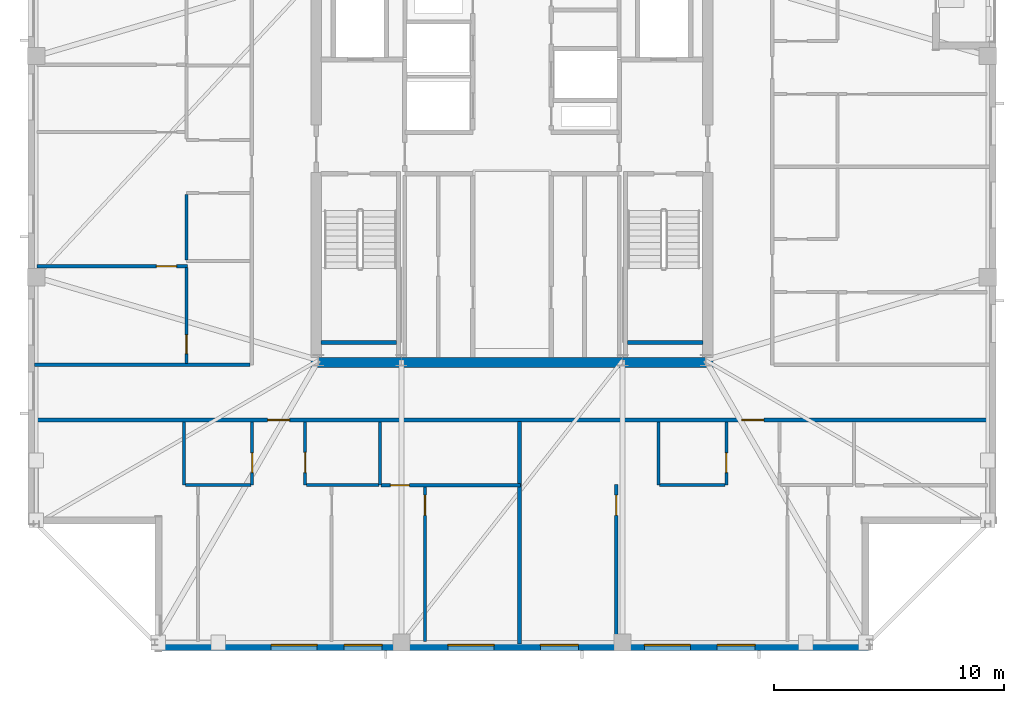
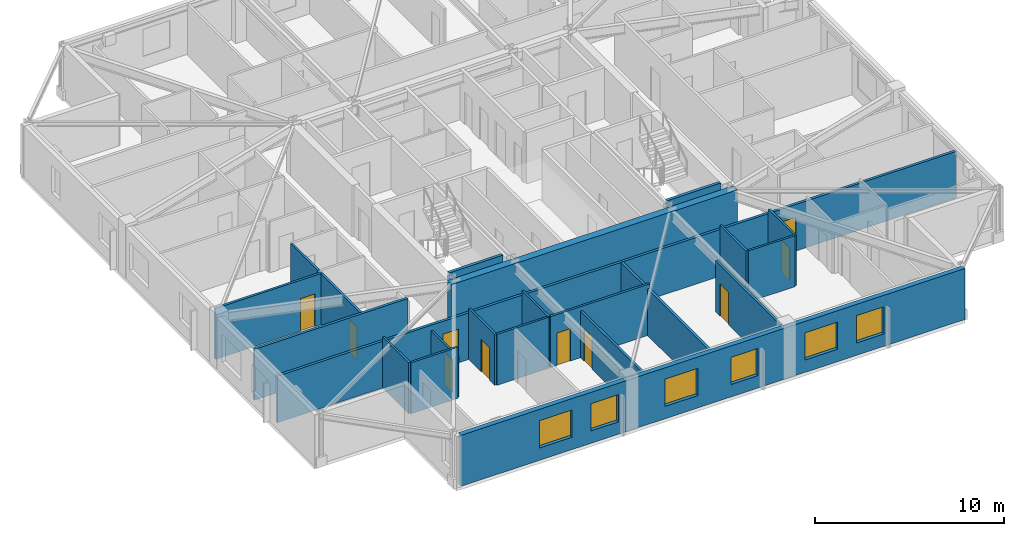
# One storey, part 7 of 16: 22 walls, 10 doors, 6 windows, 16 openings.
"""IFC4 building model written with IfcOpenShell, lengths in metres."""

from ifc_helpers import new_model, si_unit, direction, frame, frame_2d, origin, place, context, subcontext, project, spatial, rectangle, extrude, material, layer, layer_set, type_object, element, fill, save


model = new_model("IFC4")

# Units and contexts
model_context = context("Model", 3, precision=1e-05, world=origin(), true_north=direction((0.0, 1.0)))
body_context = subcontext(model_context, "Body", "Model", "MODEL_VIEW")
ifc_project = project(units=[si_unit("LENGTHUNIT", "METRE"), si_unit("AREAUNIT", "SQUARE_METRE"), si_unit("VOLUMEUNIT", "CUBIC_METRE"), si_unit("PLANEANGLEUNIT", "RADIAN"), si_unit("MASSUNIT", "GRAM", prefix="KILO")], contexts=[model_context])

# Site, building, storey
site_placement = place(None, origin())
site = spatial("IfcSite", under=ifc_project, at=site_placement, CompositionType="ELEMENT")
building_placement = place(site_placement, origin())
building = spatial("IfcBuilding", under=site, at=building_placement, Name="Cairnveth Concourse Tower", CompositionType="ELEMENT")
storey_placement = place(building_placement, frame((0.0, 0.0, 312.0)))
storey = spatial("IfcBuildingStorey", under=building, at=storey_placement, Name="L86", CompositionType="ELEMENT", Elevation=312.0)

# Wall, openings, doors
ifc_material_1 = material(Name="Gypsum Plasterboard Partition", Category="gypsum")
ifc_layer_1 = layer(ifc_material_1, 0.159912109375)
ifc_layer_set_1 = layer_set([ifc_layer_1], Name="Gypsum Plasterboard Partition")
wall_type_1 = type_object("IfcWallType", Name="ACOUSTIC PARTY WALL 180", PredefinedType="PARTITIONING", material=ifc_layer_set_1)
wall_1_placement = place(storey_placement, frame((31.284912109375, 28.00244140625, 0.0), z_axis=(0.0, 0.0, 1.0), x_axis=(1.0, 0.0, 0.0)))
wall_1 = element("IfcWall", 1, at=wall_1_placement, inside=storey, type_object=wall_type_1, Name="Interior Wall IW-L86-036", PredefinedType="PARTITIONING", context=body_context, shape_type="SweptSolid", body=[
    extrude(rectangle(XDim=41.43017578125, YDim=0.159912109375, at=frame_2d((20.715087890625, 0.0))), origin(), (0.0, 0.0, 1.0), 3.009033203125),
])
opening_1_placement = place(wall_1_placement, frame((10.107421875, 0.0, 0.0)))
opening_1 = element("IfcOpeningElement", 2, at=opening_1_placement, cuts=wall_1, Name="Opening ID10", PredefinedType="OPENING", context=body_context, shape_type="SweptSolid", body=[
    extrude(rectangle(XDim=0.9599609375, YDim=2.179931640625, at=frame_2d((0.47998046875, 1.08984375))), frame((0.0, 0.08984375, 0.0), z_axis=(0.0, -1.0, 0.0), x_axis=(1.0, 0.0, 0.0)), (0.0, 0.0, 1.0), 0.179931640625),
])
opening_2_placement = place(wall_1_placement, frame((30.6875, 0.0, 0.0)))
opening_2 = element("IfcOpeningElement", 3, at=opening_2_placement, cuts=wall_1, Name="Opening ID10", PredefinedType="OPENING", context=body_context, shape_type="SweptSolid", body=[
    extrude(rectangle(XDim=0.9599609375, YDim=2.179931640625, at=frame_2d((0.47998046875, 1.08984375))), frame((0.0, 0.08984375, 0.0), z_axis=(0.0, -1.0, 0.0), x_axis=(1.0, 0.0, 0.0)), (0.0, 0.0, 1.0), 0.179931640625),
])
ifc_material_2 = material(Name="Solid Core Hardwood Timber Leaf", Category="wood")
door_type_1 = type_object("IfcDoorType", Name="FLAT ENTRANCE DOOR 960X2150", OperationType="NOTDEFINED", PredefinedType="DOOR", material=ifc_material_2)
door_1_placement = place(opening_1_placement, origin())
door_1 = element("IfcDoor", 4, at=door_1_placement, inside=storey, type_object=door_type_1, Name="Penthouse L86PS1 Entrance Door", OperationType="SINGLE_SWING_RIGHT", OverallHeight=2.179931640625, OverallWidth=0.9599609375, PredefinedType="DOOR", context=body_context, shape_type="SweptSolid", body=[
    extrude(rectangle(XDim=0.9599609375, YDim=2.179931640625, at=frame_2d((0.47998046875, 1.08984375))), frame((0.0, 0.02490234375, 0.0), z_axis=(0.0, -1.0, 0.0), x_axis=(1.0, 0.0, 0.0)), (0.0, 0.0, 1.0), 0.050048828125),
])
fill(opening_1, door_1)
door_2_placement = place(opening_2_placement, origin())
door_2 = element("IfcDoor", 5, at=door_2_placement, inside=storey, type_object=door_type_1, Name="Penthouse L86PS2 Entrance Door", OperationType="SINGLE_SWING_LEFT", OverallHeight=2.179931640625, OverallWidth=0.9599609375, PredefinedType="DOOR", context=body_context, shape_type="SweptSolid", body=[
    extrude(rectangle(XDim=0.9599609375, YDim=2.179931640625, at=frame_2d((0.47998046875, 1.08984375))), frame((0.0, 0.02490234375, 0.0), z_axis=(0.0, -1.0, 0.0), x_axis=(1.0, 0.0, 0.0)), (0.0, 0.0, 1.0), 0.050048828125),
])
fill(opening_2, door_2)

# Walls
wall_2_placement = place(storey_placement, frame((31.284912109375, 30.39990234375, 0.0), z_axis=(0.0, 0.0, 1.0), x_axis=(1.0, 0.0, 0.0)))
element("IfcWall", 6, at=wall_2_placement, inside=storey, type_object=wall_type_1, Name="Interior Wall IW-L86-040", PredefinedType="PARTITIONING", context=body_context, shape_type="SweptSolid", body=[
    extrude(rectangle(XDim=9.35009765625, YDim=0.159912109375, at=frame_2d((4.675048828125, 0.0))), origin(), (0.0, 0.0, 1.0), 3.2900390625),
])
wall_3_placement = place(storey_placement, frame((52.324951171875, 18.284912109375, 0.0), z_axis=(0.0, 0.0, 1.0), x_axis=(0.0, 1.0, 0.0)))
element("IfcWall", 7, at=wall_3_placement, inside=storey, type_object=wall_type_1, Name="Interior Wall IW-L86-054", PredefinedType="PARTITIONING", context=body_context, shape_type="SweptSolid", body=[
    extrude(rectangle(XDim=9.652587890625, YDim=0.159912109375, at=frame_2d((4.826171875, 0.0))), origin(), (0.0, 0.0, 1.0), 3.009033203125),
])
ifc_material_3 = material(Name="Concrete N65 (65 MPa)", Category="concrete")
ifc_layer_2 = layer(ifc_material_3, 0.449951171875)
ifc_layer_set_2 = layer_set([ifc_layer_2], Name="Concrete N65 (65 MPa)")
wall_type_2 = type_object("IfcWallType", Name="CORE SHEAR WALL 450", PredefinedType="SHEAR", material=ifc_layer_set_2)
wall_4_placement = place(storey_placement, frame((43.27490234375, 30.5, 0.0), z_axis=(0.0, 0.0, 1.0), x_axis=(1.0, 0.0, 0.0)))
element("IfcWall", 8, at=wall_4_placement, inside=storey, type_object=wall_type_2, Name="Core South Shear Wall L86", PredefinedType="SHEAR", context=body_context, shape_type="SweptSolid", body=[
    extrude(rectangle(XDim=17.4501953125, YDim=0.449951171875, at=frame_2d((8.72509765625, 0.0))), origin(), (0.0, 0.0, 1.0), 3.2900390625),
])
ifc_material_4 = material(Name="Concrete N50 (50 MPa)", Category="concrete")
ifc_layer_3 = layer(ifc_material_4, 0.179931640625)
ifc_layer_set_3 = layer_set([ifc_layer_3], Name="Concrete N50 (50 MPa)")
wall_type_3 = type_object("IfcWallType", Name="FIRE SHAFT WALL 180", PredefinedType="SOLIDWALL", material=ifc_layer_set_3)
for number, where, z_axis, x_axis, name in (
    (9, (43.715087890625, 31.360107421875, 0.0), (0.0, 0.0, 1.0), (1.0, 0.0, 0.0), "Stair ST-1 Shaft Wall FAR L86"),
    (10, (57.0048828125, 31.360107421875, 0.0), (0.0, 0.0, 1.0), (1.0, 0.0, 0.0), "Stair ST-2 Shaft Wall FAR L86"),
):
    element("IfcWall", number, at=place(storey_placement, frame(where, z_axis=z_axis, x_axis=x_axis)), inside=storey, type_object=wall_type_3, Name=name, PredefinedType="SOLIDWALL", context=body_context, shape_type="SweptSolid", body=[
        extrude(rectangle(XDim=3.280029296875, YDim=0.179931640625, at=frame_2d((1.64013671875, 0.0))), origin(), (0.0, 0.0, 1.0), 3.2900390625),
    ])

# Wall, opening, door
ifc_layer_4 = layer(ifc_material_1, 0.139892578125)
ifc_layer_set_4 = layer_set([ifc_layer_4], Name="Gypsum Plasterboard Partition")
wall_type_4 = type_object("IfcWallType", Name="GYPSUM STUD PARTITION 140", PredefinedType="PARTITIONING", material=ifc_layer_set_4)
wall_5_placement = place(storey_placement, frame((48.22509765625, 18.3798828125, 0.0), z_axis=(0.0, 0.0, 1.0), x_axis=(0.0, 1.0, 0.0)))
wall_5 = element("IfcWall", 11, at=wall_5_placement, inside=storey, type_object=wall_type_4, Name="Interior Wall IW-L86-051", PredefinedType="PARTITIONING", context=body_context, shape_type="SweptSolid", body=[
    extrude(rectangle(XDim=6.83251953125, YDim=0.139892578125, at=frame_2d((3.416259765625, 0.0))), origin(), (0.0, 0.0, 1.0), 3.009033203125),
])
opening_3_placement = place(wall_5_placement, frame((5.482421875, 0.0, 0.0)))
opening_3 = element("IfcOpeningElement", 12, at=opening_3_placement, cuts=wall_5, Name="Opening ID18", PredefinedType="OPENING", context=body_context, shape_type="SweptSolid", body=[
    extrude(rectangle(XDim=0.8798828125, YDim=2.10009765625, at=frame_2d((0.43994140625, 1.050048828125))), frame((0.0, 0.079833984375, 0.0), z_axis=(0.0, -1.0, 0.0), x_axis=(1.0, 0.0, 0.0)), (0.0, 0.0, 1.0), 0.159912109375),
])
door_type_2 = type_object("IfcDoorType", Name="INTERIOR SINGLE DOOR 880X2100", OperationType="NOTDEFINED", PredefinedType="DOOR", material=ifc_material_2)
door_3_placement = place(opening_3_placement, origin())
door_3 = element("IfcDoor", 13, at=door_3_placement, inside=storey, type_object=door_type_2, Name="L86PS1 Bedroom 2 Door", OperationType="SINGLE_SWING_RIGHT", OverallHeight=2.10009765625, OverallWidth=0.8798828125, PredefinedType="DOOR", context=body_context, shape_type="SweptSolid", body=[
    extrude(rectangle(XDim=0.8798828125, YDim=2.10009765625, at=frame_2d((0.43994140625, 1.050048828125))), frame((0.0, 0.02490234375, 0.0), z_axis=(0.0, -1.0, 0.0), x_axis=(1.0, 0.0, 0.0)), (0.0, 0.0, 1.0), 0.050048828125),
])
fill(opening_3, door_3)

wall_6_placement = place(storey_placement, frame((46.322509765625, 25.172607421875, 0.0), z_axis=(0.0, 0.0, 1.0), x_axis=(1.0, 0.0, 0.0)))
wall_6 = element("IfcWall", 14, at=wall_6_placement, inside=storey, type_object=wall_type_4, Name="Interior Wall IW-L86-052", PredefinedType="PARTITIONING", context=body_context, shape_type="SweptSolid", body=[
    extrude(rectangle(XDim=6.052490234375, YDim=0.139892578125, at=frame_2d((3.0263671875, 0.0))), origin(), (0.0, 0.0, 1.0), 3.2900390625),
])
opening_4_placement = place(wall_6_placement, frame((0.39990234375, 0.0, 0.0)))
opening_4 = element("IfcOpeningElement", 15, at=opening_4_placement, cuts=wall_6, Name="Opening ID22", PredefinedType="OPENING", context=body_context, shape_type="SweptSolid", body=[
    extrude(rectangle(XDim=0.820068359375, YDim=2.10009765625, at=frame_2d((0.41015625, 1.050048828125))), frame((0.0, 0.079833984375, 0.0), z_axis=(0.0, -1.0, 0.0), x_axis=(1.0, 0.0, 0.0)), (0.0, 0.0, 1.0), 0.159912109375),
])
door_type_3 = type_object("IfcDoorType", Name="INTERIOR WC DOOR 820X2100", OperationType="NOTDEFINED", PredefinedType="DOOR", material=ifc_material_2)
door_4_placement = place(opening_4_placement, origin())
door_4 = element("IfcDoor", 16, at=door_4_placement, inside=storey, type_object=door_type_3, Name="L86PS1 Utility Door", OperationType="SINGLE_SWING_LEFT", OverallHeight=2.10009765625, OverallWidth=0.820068359375, PredefinedType="DOOR", context=body_context, shape_type="SweptSolid", body=[
    extrude(rectangle(XDim=0.820068359375, YDim=2.10009765625, at=frame_2d((0.41015625, 1.050048828125))), frame((0.0, 0.02490234375, 0.0), z_axis=(0.0, -1.0, 0.0), x_axis=(1.0, 0.0, 0.0)), (0.0, 0.0, 1.0), 0.050048828125),
])
fill(opening_4, door_4)

wall_7_placement = place(storey_placement, frame((56.52490234375, 18.3798828125, 0.0), z_axis=(0.0, 0.0, 1.0), x_axis=(0.0, 1.0, 0.0)))
wall_7 = element("IfcWall", 17, at=wall_7_placement, inside=storey, type_object=wall_type_4, Name="Interior Wall IW-L86-061", PredefinedType="PARTITIONING", context=body_context, shape_type="SweptSolid", body=[
    extrude(rectangle(XDim=6.83251953125, YDim=0.139892578125, at=frame_2d((3.416259765625, 0.0))), origin(), (0.0, 0.0, 1.0), 3.2900390625),
])
opening_5_placement = place(wall_7_placement, frame((5.482421875, 0.0, 0.0)))
opening_5 = element("IfcOpeningElement", 18, at=opening_5_placement, cuts=wall_7, Name="Opening ID18", PredefinedType="OPENING", context=body_context, shape_type="SweptSolid", body=[
    extrude(rectangle(XDim=0.8798828125, YDim=2.10009765625, at=frame_2d((0.43994140625, 1.050048828125))), frame((0.0, 0.079833984375, 0.0), z_axis=(0.0, -1.0, 0.0), x_axis=(1.0, 0.0, 0.0)), (0.0, 0.0, 1.0), 0.159912109375),
])
door_5_placement = place(opening_5_placement, origin())
door_5 = element("IfcDoor", 19, at=door_5_placement, inside=storey, type_object=door_type_2, Name="L86PS2 Master Bedroom Door", OperationType="SINGLE_SWING_LEFT", OverallHeight=2.10009765625, OverallWidth=0.8798828125, PredefinedType="DOOR", context=body_context, shape_type="SweptSolid", body=[
    extrude(rectangle(XDim=0.8798828125, YDim=2.10009765625, at=frame_2d((0.43994140625, 1.050048828125))), frame((0.0, 0.02490234375, 0.0), z_axis=(0.0, -1.0, 0.0), x_axis=(1.0, 0.0, 0.0)), (0.0, 0.0, 1.0), 0.050048828125),
])
fill(opening_5, door_5)

wall_8_placement = place(storey_placement, frame((31.3798828125, 34.679931640625, 0.0), z_axis=(0.0, 0.0, 1.0), x_axis=(1.0, 0.0, 0.0)))
wall_8 = element("IfcWall", 20, at=wall_8_placement, inside=storey, type_object=wall_type_4, Name="Interior Wall IW-L86-092", PredefinedType="PARTITIONING", context=body_context, shape_type="SweptSolid", body=[
    extrude(rectangle(XDim=6.530029296875, YDim=0.139892578125, at=frame_2d((3.26513671875, 0.0))), origin(), (0.0, 0.0, 1.0), 3.2900390625),
])
opening_6_placement = place(wall_8_placement, frame((5.179931640625, 0.0, 0.0)))
opening_6 = element("IfcOpeningElement", 21, at=opening_6_placement, cuts=wall_8, Name="Opening ID18", PredefinedType="OPENING", context=body_context, shape_type="SweptSolid", body=[
    extrude(rectangle(XDim=0.8798828125, YDim=2.10009765625, at=frame_2d((0.43994140625, 1.050048828125))), frame((0.0, 0.079833984375, 0.0), z_axis=(0.0, -1.0, 0.0), x_axis=(1.0, 0.0, 0.0)), (0.0, 0.0, 1.0), 0.159912109375),
])
door_6_placement = place(opening_6_placement, origin())
door_6 = element("IfcDoor", 22, at=door_6_placement, inside=storey, type_object=door_type_2, Name="L86PW1 Master Bedroom Door", OperationType="SINGLE_SWING_LEFT", OverallHeight=2.10009765625, OverallWidth=0.8798828125, PredefinedType="DOOR", context=body_context, shape_type="SweptSolid", body=[
    extrude(rectangle(XDim=0.8798828125, YDim=2.10009765625, at=frame_2d((0.43994140625, 1.050048828125))), frame((0.0, 0.02490234375, 0.0), z_axis=(0.0, -1.0, 0.0), x_axis=(1.0, 0.0, 0.0)), (0.0, 0.0, 1.0), 0.050048828125),
])
fill(opening_6, door_6)

wall_9_placement = place(storey_placement, frame((37.8701171875, 30.465087890625, 0.0), z_axis=(0.0, 0.0, 1.0), x_axis=(0.0, 1.0, 0.0)))
wall_9 = element("IfcWall", 23, at=wall_9_placement, inside=storey, type_object=wall_type_4, Name="Interior Wall IW-L86-093", PredefinedType="PARTITIONING", context=body_context, shape_type="SweptSolid", body=[
    extrude(rectangle(XDim=4.159912109375, YDim=0.139892578125, at=frame_2d((2.080078125, 0.0))), origin(), (0.0, 0.0, 1.0), 3.2900390625),
])
opening_7_placement = place(wall_9_placement, frame((0.4150390625, 0.0, 0.0)))
opening_7 = element("IfcOpeningElement", 24, at=opening_7_placement, cuts=wall_9, Name="Opening ID22", PredefinedType="OPENING", context=body_context, shape_type="SweptSolid", body=[
    extrude(rectangle(XDim=0.820068359375, YDim=2.10009765625, at=frame_2d((0.41015625, 1.050048828125))), frame((0.0, 0.079833984375, 0.0), z_axis=(0.0, -1.0, 0.0), x_axis=(1.0, 0.0, 0.0)), (0.0, 0.0, 1.0), 0.159912109375),
])
door_7_placement = place(opening_7_placement, origin())
door_7 = element("IfcDoor", 25, at=door_7_placement, inside=storey, type_object=door_type_3, Name="L86PW1 Dressing Door", OperationType="SINGLE_SWING_RIGHT", OverallHeight=2.10009765625, OverallWidth=0.820068359375, PredefinedType="DOOR", context=body_context, shape_type="SweptSolid", body=[
    extrude(rectangle(XDim=0.820068359375, YDim=2.10009765625, at=frame_2d((0.41015625, 1.050048828125))), frame((0.0, 0.02490234375, 0.0), z_axis=(0.0, -1.0, 0.0), x_axis=(1.0, 0.0, 0.0)), (0.0, 0.0, 1.0), 0.050048828125),
])
fill(opening_7, door_7)

# Wall
ifc_layer_5 = layer(ifc_material_1, 0.1298828125)
ifc_layer_set_5 = layer_set([ifc_layer_5], Name="Gypsum Plasterboard Partition")
wall_type_5 = type_object("IfcWallType", Name="WET AREA PARTITION 140", PredefinedType="PLUMBINGWALL", material=ifc_layer_set_5)
wall_10_placement = place(storey_placement, frame((37.7724609375, 25.172607421875, 0.0), z_axis=(0.0, 0.0, 1.0), x_axis=(0.0, 1.0, 0.0)))
element("IfcWall", 26, at=wall_10_placement, inside=storey, type_object=wall_type_5, Name="Interior Wall IW-L86-044", PredefinedType="PLUMBINGWALL", context=body_context, shape_type="SweptSolid", body=[
    extrude(rectangle(XDim=2.75, YDim=0.1298828125, at=frame_2d((1.375, 0.0))), origin(), (0.0, 0.0, 1.0), 3.2900390625),
])

# Wall, opening, door
wall_11_placement = place(storey_placement, frame((40.722412109375, 25.172607421875, 0.0), z_axis=(0.0, 0.0, 1.0), x_axis=(0.0, 1.0, 0.0)))
wall_11 = element("IfcWall", 27, at=wall_11_placement, inside=storey, type_object=wall_type_5, Name="Interior Wall IW-L86-045", PredefinedType="PLUMBINGWALL", context=body_context, shape_type="SweptSolid", body=[
    extrude(rectangle(XDim=2.75, YDim=0.1298828125, at=frame_2d((1.375, 0.0))), origin(), (0.0, 0.0, 1.0), 2.653076171875),
])
opening_8_placement = place(wall_11_placement, frame((0.550048828125, 0.0, 0.0)))
opening_8 = element("IfcOpeningElement", 28, at=opening_8_placement, cuts=wall_11, Name="Opening ID21", PredefinedType="OPENING", context=body_context, shape_type="SweptSolid", body=[
    extrude(rectangle(XDim=0.85009765625, YDim=2.080078125, at=frame_2d((0.425048828125, 1.0400390625))), frame((0.0, 0.074951171875, 0.0), z_axis=(0.0, -1.0, 0.0), x_axis=(1.0, 0.0, 0.0)), (0.0, 0.0, 1.0), 0.14990234375),
])
door_type_4 = type_object("IfcDoorType", Name="INTERIOR WC DOOR 850X2100", OperationType="NOTDEFINED", PredefinedType="DOOR", material=ifc_material_2)
door_8_placement = place(opening_8_placement, origin())
door_8 = element("IfcDoor", 29, at=door_8_placement, inside=storey, type_object=door_type_4, Name="L86PS1 Bathroom Door", OperationType="SINGLE_SWING_RIGHT", OverallHeight=2.080078125, OverallWidth=0.85009765625, PredefinedType="DOOR", context=body_context, shape_type="SweptSolid", body=[
    extrude(rectangle(XDim=0.85009765625, YDim=2.080078125, at=frame_2d((0.425048828125, 1.0400390625))), frame((0.0, 0.02490234375, 0.0), z_axis=(0.0, -1.0, 0.0), x_axis=(1.0, 0.0, 0.0)), (0.0, 0.0, 1.0), 0.050048828125),
])
fill(opening_8, door_8)

# Walls
wall_12_placement = place(storey_placement, frame((37.822509765625, 25.172607421875, 0.0), z_axis=(0.0, 0.0, 1.0), x_axis=(1.0, 0.0, 0.0)))
element("IfcWall", 30, at=wall_12_placement, inside=storey, type_object=wall_type_5, Name="Interior Wall IW-L86-046", PredefinedType="PLUMBINGWALL", context=body_context, shape_type="SweptSolid", body=[
    extrude(rectangle(XDim=2.85009765625, YDim=0.1298828125, at=frame_2d((1.425048828125, 0.0))), origin(), (0.0, 0.0, 1.0), 3.2900390625),
])
wall_13_placement = place(storey_placement, frame((46.2724609375, 25.172607421875, 0.0), z_axis=(0.0, 0.0, 1.0), x_axis=(0.0, 1.0, 0.0)))
element("IfcWall", 31, at=wall_13_placement, inside=storey, type_object=wall_type_5, Name="Interior Wall IW-L86-047", PredefinedType="PLUMBINGWALL", context=body_context, shape_type="SweptSolid", body=[
    extrude(rectangle(XDim=2.75, YDim=0.1298828125, at=frame_2d((1.375, 0.0))), origin(), (0.0, 0.0, 1.0), 3.2900390625),
])

# Wall, opening, door
wall_14_placement = place(storey_placement, frame((43.0224609375, 25.172607421875, 0.0), z_axis=(0.0, 0.0, 1.0), x_axis=(0.0, 1.0, 0.0)))
wall_14 = element("IfcWall", 32, at=wall_14_placement, inside=storey, type_object=wall_type_5, Name="Interior Wall IW-L86-048", PredefinedType="PLUMBINGWALL", context=body_context, shape_type="SweptSolid", body=[
    extrude(rectangle(XDim=2.75, YDim=0.1298828125, at=frame_2d((1.375, 0.0))), origin(), (0.0, 0.0, 1.0), 3.2900390625),
])
opening_9_placement = place(wall_14_placement, frame((0.550048828125, 0.0, 0.0)))
opening_9 = element("IfcOpeningElement", 33, at=opening_9_placement, cuts=wall_14, Name="Opening ID18", PredefinedType="OPENING", context=body_context, shape_type="SweptSolid", body=[
    extrude(rectangle(XDim=0.8798828125, YDim=2.10009765625, at=frame_2d((0.43994140625, 1.050048828125))), frame((0.0, 0.074951171875, 0.0), z_axis=(0.0, -1.0, 0.0), x_axis=(1.0, 0.0, 0.0)), (0.0, 0.0, 1.0), 0.14990234375),
])
door_9_placement = place(opening_9_placement, origin())
door_9 = element("IfcDoor", 34, at=door_9_placement, inside=storey, type_object=door_type_2, Name="L86PS1 Kitchen Door", OperationType="SINGLE_SWING_LEFT", OverallHeight=2.10009765625, OverallWidth=0.8798828125, PredefinedType="DOOR", context=body_context, shape_type="SweptSolid", body=[
    extrude(rectangle(XDim=0.8798828125, YDim=2.10009765625, at=frame_2d((0.43994140625, 1.050048828125))), frame((0.0, 0.02490234375, 0.0), z_axis=(0.0, -1.0, 0.0), x_axis=(1.0, 0.0, 0.0)), (0.0, 0.0, 1.0), 0.050048828125),
])
fill(opening_9, door_9)

# Walls
wall_15_placement = place(storey_placement, frame((43.072509765625, 25.172607421875, 0.0), z_axis=(0.0, 0.0, 1.0), x_axis=(1.0, 0.0, 0.0)))
element("IfcWall", 35, at=wall_15_placement, inside=storey, type_object=wall_type_5, Name="Interior Wall IW-L86-049", PredefinedType="PLUMBINGWALL", context=body_context, shape_type="SweptSolid", body=[
    extrude(rectangle(XDim=3.14990234375, YDim=0.1298828125, at=frame_2d((1.574951171875, 0.0))), origin(), (0.0, 0.0, 1.0), 3.2900390625),
])
wall_16_placement = place(storey_placement, frame((58.3525390625, 25.172607421875, 0.0), z_axis=(0.0, 0.0, 1.0), x_axis=(0.0, 1.0, 0.0)))
element("IfcWall", 36, at=wall_16_placement, inside=storey, type_object=wall_type_5, Name="Interior Wall IW-L86-055", PredefinedType="PLUMBINGWALL", context=body_context, shape_type="SweptSolid", body=[
    extrude(rectangle(XDim=2.75, YDim=0.1298828125, at=frame_2d((1.375, 0.0))), origin(), (0.0, 0.0, 1.0), 3.2900390625),
])

# Wall, opening, door
wall_17_placement = place(storey_placement, frame((61.302490234375, 25.172607421875, 0.0), z_axis=(0.0, 0.0, 1.0), x_axis=(0.0, 1.0, 0.0)))
wall_17 = element("IfcWall", 37, at=wall_17_placement, inside=storey, type_object=wall_type_5, Name="Interior Wall IW-L86-056", PredefinedType="PLUMBINGWALL", context=body_context, shape_type="SweptSolid", body=[
    extrude(rectangle(XDim=2.75, YDim=0.1298828125, at=frame_2d((1.375, 0.0))), origin(), (0.0, 0.0, 1.0), 3.2900390625),
])
opening_10_placement = place(wall_17_placement, frame((0.550048828125, 0.0, 0.0)))
opening_10 = element("IfcOpeningElement", 38, at=opening_10_placement, cuts=wall_17, Name="Opening ID21", PredefinedType="OPENING", context=body_context, shape_type="SweptSolid", body=[
    extrude(rectangle(XDim=0.85009765625, YDim=2.080078125, at=frame_2d((0.425048828125, 1.0400390625))), frame((0.0, 0.074951171875, 0.0), z_axis=(0.0, -1.0, 0.0), x_axis=(1.0, 0.0, 0.0)), (0.0, 0.0, 1.0), 0.14990234375),
])
door_10_placement = place(opening_10_placement, origin())
door_10 = element("IfcDoor", 39, at=door_10_placement, inside=storey, type_object=door_type_4, Name="L86PS2 Bathroom Door", OperationType="SINGLE_SWING_LEFT", OverallHeight=2.080078125, OverallWidth=0.85009765625, PredefinedType="DOOR", context=body_context, shape_type="SweptSolid", body=[
    extrude(rectangle(XDim=0.85009765625, YDim=2.080078125, at=frame_2d((0.425048828125, 1.0400390625))), frame((0.0, 0.02490234375, 0.0), z_axis=(0.0, -1.0, 0.0), x_axis=(1.0, 0.0, 0.0)), (0.0, 0.0, 1.0), 0.050048828125),
])
fill(opening_10, door_10)

# Walls
wall_18_placement = place(storey_placement, frame((58.402587890625, 25.172607421875, 0.0), z_axis=(0.0, 0.0, 1.0), x_axis=(1.0, 0.0, 0.0)))
element("IfcWall", 40, at=wall_18_placement, inside=storey, type_object=wall_type_5, Name="Interior Wall IW-L86-057", PredefinedType="PLUMBINGWALL", context=body_context, shape_type="SweptSolid", body=[
    extrude(rectangle(XDim=2.849853515625, YDim=0.1298828125, at=frame_2d((1.4248046875, 0.0))), origin(), (0.0, 0.0, 1.0), 3.2900390625),
])
wall_19_placement = place(storey_placement, frame((37.8701171875, 34.949951171875, 0.0), z_axis=(0.0, 0.0, 1.0), x_axis=(0.0, 1.0, 0.0)))
element("IfcWall", 41, at=wall_19_placement, inside=storey, type_object=wall_type_5, Name="Interior Wall IW-L86-088", PredefinedType="PLUMBINGWALL", context=body_context, shape_type="SweptSolid", body=[
    extrude(rectangle(XDim=2.85009765625, YDim=0.1298828125, at=frame_2d((1.425048828125, 0.0))), origin(), (0.0, 0.0, 1.0), 3.2900390625),
])

# Wall, openings, windows
ifc_material_5 = material(Name="Hawthorn Red-Ochre Fired Clay Brick Masonry", Category="masonry")
ifc_layer_6 = layer(ifc_material_5, 0.300048828125)
ifc_layer_set_6 = layer_set([ifc_layer_6], Name="Hawthorn Red-Ochre Fired Clay Brick Masonry")
wall_type_6 = type_object("IfcWallType", Name="ZONE 4 BRICK PIER SPANDREL WALL 300", PredefinedType="SOLIDWALL", material=ifc_layer_set_6)
wall_20_placement = place(storey_placement, frame((67.5, 18.14990234375, 0.0), z_axis=(0.0, 0.0, 1.0), x_axis=(-1.0, 0.0, 0.0)))
wall_20 = element("IfcWall", 42, at=wall_20_placement, inside=storey, type_object=wall_type_6, Name="Exterior Wall EW-L86-S03", PredefinedType="SOLIDWALL", context=body_context, shape_type="SweptSolid", body=[
    extrude(rectangle(XDim=30.721923828125, YDim=0.300048828125, at=frame_2d((15.36083984375, 0.0))), origin(), (0.0, 0.0, 1.0), 3.2900390625),
])
opening_11_placement = place(wall_20_placement, frame((4.943603515625, 0.0, 0.800048828125)))
opening_11 = element("IfcOpeningElement", 43, at=opening_11_placement, cuts=wall_20, Name="Opening W04", PredefinedType="OPENING", context=body_context, shape_type="SweptSolid", body=[
    extrude(rectangle(XDim=1.64990234375, YDim=1.758056640625, at=frame_2d((0.824951171875, 0.87890625))), frame((0.0, 0.159912109375, 0.0), z_axis=(0.0, -1.0, 0.0), x_axis=(1.0, 0.0, 0.0)), (0.0, 0.0, 1.0), 0.320068359375),
])
opening_12_placement = place(wall_20_placement, frame((7.755615234375, 0.0, 0.800048828125)))
opening_12 = element("IfcOpeningElement", 44, at=opening_12_placement, cuts=wall_20, Name="Opening W09", PredefinedType="OPENING", context=body_context, shape_type="SweptSolid", body=[
    extrude(rectangle(XDim=2.0, YDim=1.758056640625, at=frame_2d((1.0, 0.87890625))), frame((0.0, 0.159912109375, 0.0), z_axis=(0.0, -1.0, 0.0), x_axis=(1.0, 0.0, 0.0)), (0.0, 0.0, 1.0), 0.320068359375),
])
opening_13_placement = place(wall_20_placement, frame((12.617431640625, 0.0, 0.800048828125)))
opening_13 = element("IfcOpeningElement", 45, at=opening_13_placement, cuts=wall_20, Name="Opening W04", PredefinedType="OPENING", context=body_context, shape_type="SweptSolid", body=[
    extrude(rectangle(XDim=1.64990234375, YDim=1.758056640625, at=frame_2d((0.824951171875, 0.87890625))), frame((0.0, 0.159912109375, 0.0), z_axis=(0.0, -1.0, 0.0), x_axis=(1.0, 0.0, 0.0)), (0.0, 0.0, 1.0), 0.320068359375),
])
opening_14_placement = place(wall_20_placement, frame((16.279541015625, 0.0, 0.800048828125)))
opening_14 = element("IfcOpeningElement", 46, at=opening_14_placement, cuts=wall_20, Name="Opening W09", PredefinedType="OPENING", context=body_context, shape_type="SweptSolid", body=[
    extrude(rectangle(XDim=2.0, YDim=1.758056640625, at=frame_2d((1.0, 0.87890625))), frame((0.0, 0.159912109375, 0.0), z_axis=(0.0, -1.0, 0.0), x_axis=(1.0, 0.0, 0.0)), (0.0, 0.0, 1.0), 0.320068359375),
])
opening_15_placement = place(wall_20_placement, frame((21.1416015625, 0.0, 0.800048828125)))
opening_15 = element("IfcOpeningElement", 47, at=opening_15_placement, cuts=wall_20, Name="Opening W04", PredefinedType="OPENING", context=body_context, shape_type="SweptSolid", body=[
    extrude(rectangle(XDim=1.64990234375, YDim=1.758056640625, at=frame_2d((0.824951171875, 0.87890625))), frame((0.0, 0.159912109375, 0.0), z_axis=(0.0, -1.0, 0.0), x_axis=(1.0, 0.0, 0.0)), (0.0, 0.0, 1.0), 0.320068359375),
])
opening_16_placement = place(wall_20_placement, frame((23.95361328125, 0.0, 0.800048828125)))
opening_16 = element("IfcOpeningElement", 48, at=opening_16_placement, cuts=wall_20, Name="Opening W09", PredefinedType="OPENING", context=body_context, shape_type="SweptSolid", body=[
    extrude(rectangle(XDim=2.0, YDim=1.758056640625, at=frame_2d((1.0, 0.87890625))), frame((0.0, 0.159912109375, 0.0), z_axis=(0.0, -1.0, 0.0), x_axis=(1.0, 0.0, 0.0)), (0.0, 0.0, 1.0), 0.320068359375),
])
ifc_material_6 = material(Name="Double Glazed Low-E Clear Glass", Category="glass")
window_type_1 = type_object("IfcWindowType", Name="DEEP-SET GOTHIC LANCET WINDOW 1650X1850", PartitioningType="DOUBLE_PANEL_VERTICAL", PredefinedType="WINDOW", material=ifc_material_6)
window_1_placement = place(opening_11_placement, origin())
window_1 = element("IfcWindow", 49, at=window_1_placement, inside=storey, type_object=window_type_1, Name="Gothic Lancet Window L86-3-1", OverallHeight=1.758056640625, OverallWidth=1.64990234375, PartitioningType="SINGLE_PANEL", PredefinedType="WINDOW", context=body_context, shape_type="SweptSolid", body=[
    extrude(rectangle(XDim=1.64990234375, YDim=1.758056640625, at=frame_2d((0.824951171875, 0.87890625))), frame((0.0, -0.050048828125, 0.0), z_axis=(0.0, -1.0, 0.0), x_axis=(1.0, 0.0, 0.0)), (0.0, 0.0, 1.0), 0.06005859375),
])
fill(opening_11, window_1)
window_2_placement = place(opening_13_placement, origin())
window_2 = element("IfcWindow", 50, at=window_2_placement, inside=storey, type_object=window_type_1, Name="Gothic Lancet Window L86-3-3", OverallHeight=1.758056640625, OverallWidth=1.64990234375, PartitioningType="SINGLE_PANEL", PredefinedType="WINDOW", context=body_context, shape_type="SweptSolid", body=[
    extrude(rectangle(XDim=1.64990234375, YDim=1.758056640625, at=frame_2d((0.824951171875, 0.87890625))), frame((0.0, -0.050048828125, 0.0), z_axis=(0.0, -1.0, 0.0), x_axis=(1.0, 0.0, 0.0)), (0.0, 0.0, 1.0), 0.06005859375),
])
fill(opening_13, window_2)
window_3_placement = place(opening_15_placement, origin())
window_3 = element("IfcWindow", 51, at=window_3_placement, inside=storey, type_object=window_type_1, Name="Gothic Lancet Window L86-3-5", OverallHeight=1.758056640625, OverallWidth=1.64990234375, PartitioningType="SINGLE_PANEL", PredefinedType="WINDOW", context=body_context, shape_type="SweptSolid", body=[
    extrude(rectangle(XDim=1.64990234375, YDim=1.758056640625, at=frame_2d((0.824951171875, 0.87890625))), frame((0.0, -0.050048828125, 0.0), z_axis=(0.0, -1.0, 0.0), x_axis=(1.0, 0.0, 0.0)), (0.0, 0.0, 1.0), 0.06005859375),
])
fill(opening_15, window_3)
window_type_2 = type_object("IfcWindowType", Name="DEEP-SET PENTHOUSE LANCET WINDOW 2000X1850", PartitioningType="DOUBLE_PANEL_VERTICAL", PredefinedType="WINDOW", material=ifc_material_6)
window_4_placement = place(opening_12_placement, origin())
window_4 = element("IfcWindow", 52, at=window_4_placement, inside=storey, type_object=window_type_2, Name="Gothic Lancet Window L86-3-2", OverallHeight=1.758056640625, OverallWidth=2.0, PartitioningType="SINGLE_PANEL", PredefinedType="WINDOW", context=body_context, shape_type="SweptSolid", body=[
    extrude(rectangle(XDim=2.0, YDim=1.758056640625, at=frame_2d((1.0, 0.87890625))), frame((0.0, -0.050048828125, 0.0), z_axis=(0.0, -1.0, 0.0), x_axis=(1.0, 0.0, 0.0)), (0.0, 0.0, 1.0), 0.06005859375),
])
fill(opening_12, window_4)
window_5_placement = place(opening_14_placement, origin())
window_5 = element("IfcWindow", 53, at=window_5_placement, inside=storey, type_object=window_type_2, Name="Gothic Lancet Window L86-3-4", OverallHeight=1.758056640625, OverallWidth=2.0, PartitioningType="SINGLE_PANEL", PredefinedType="WINDOW", context=body_context, shape_type="SweptSolid", body=[
    extrude(rectangle(XDim=2.0, YDim=1.758056640625, at=frame_2d((1.0, 0.87890625))), frame((0.0, -0.050048828125, 0.0), z_axis=(0.0, -1.0, 0.0), x_axis=(1.0, 0.0, 0.0)), (0.0, 0.0, 1.0), 0.06005859375),
])
fill(opening_14, window_5)
window_6_placement = place(opening_16_placement, origin())
window_6 = element("IfcWindow", 54, at=window_6_placement, inside=storey, type_object=window_type_2, Name="Gothic Lancet Window L86-3-6", OverallHeight=1.758056640625, OverallWidth=2.0, PartitioningType="SINGLE_PANEL", PredefinedType="WINDOW", context=body_context, shape_type="SweptSolid", body=[
    extrude(rectangle(XDim=2.0, YDim=1.758056640625, at=frame_2d((1.0, 0.87890625))), frame((0.0, -0.050048828125, 0.0), z_axis=(0.0, -1.0, 0.0), x_axis=(1.0, 0.0, 0.0)), (0.0, 0.0, 1.0), 0.06005859375),
])
fill(opening_16, window_6)

save(model, "model.ifc")
